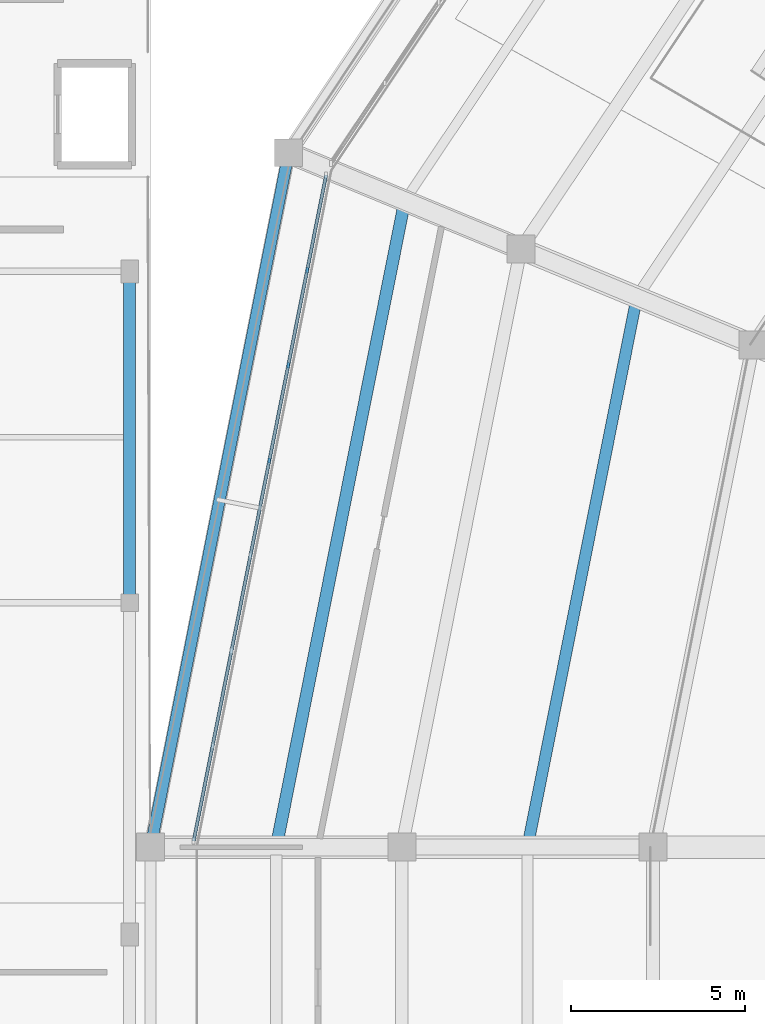
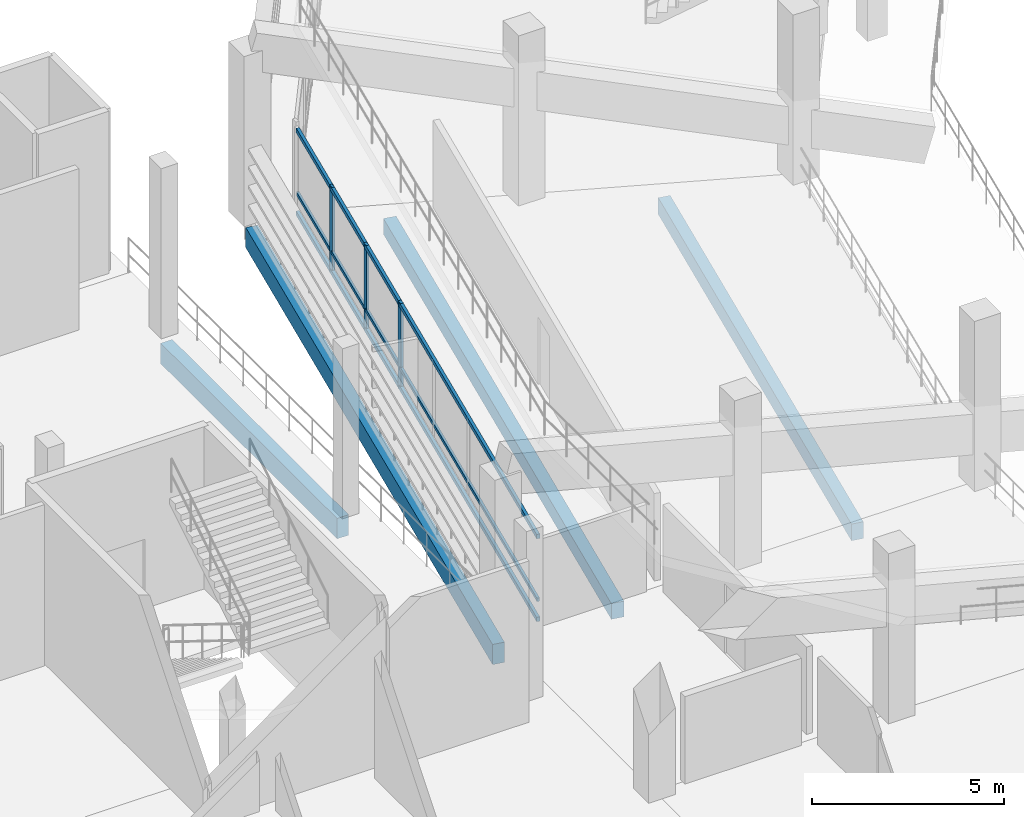
# One storey, part 23 of 96: 6 members, 4 beams, 1 element without a shape of its own.
"""IFC4 building model written with IfcOpenShell, lengths in metres."""

from ifc_helpers import new_model, si_unit, direction, frame, origin, origin_2d, place, context, subcontext, project, spatial, rectangle, extrude, material, material_profile, profile_set, type_object, element, aggregate, save


model = new_model("IFC4")

# Units and contexts
model_context = context("Model", 3, precision=1e-05, world=origin(), true_north=direction((0.0, 1.0)))
body_context = subcontext(model_context, "Body", "Model", "MODEL_VIEW")
ifc_project = project(units=[si_unit("LENGTHUNIT", "METRE"), si_unit("AREAUNIT", "SQUARE_METRE"), si_unit("VOLUMEUNIT", "CUBIC_METRE"), si_unit("PLANEANGLEUNIT", "RADIAN"), si_unit("MASSUNIT", "GRAM", prefix="KILO")], contexts=[model_context])

# Site, building, storey
site_placement = place(None, origin())
site = spatial("IfcSite", under=ifc_project, at=site_placement, CompositionType="ELEMENT")
building_placement = place(site_placement, origin())
building = spatial("IfcBuilding", under=site, at=building_placement, Name="Candeia Ridge Stadium", CompositionType="ELEMENT")
storey_placement = place(building_placement, frame((0.0, 0.0, 21.60009765625)))
storey = spatial("IfcBuildingStorey", under=building, at=storey_placement, Name="L04", CompositionType="ELEMENT", Elevation=21.60009765625)

# Curtain wall, members
ifc_material_1 = material(Name="Aluminium Anodized Warm Bronze", Category="aluminium")
curtain_wall_type = type_object("IfcCurtainWallType", Name="Concourse Recessed Unitised Curtain Wall", PredefinedType="NOTDEFINED", material=ifc_material_1)
curtain_wall_placement = place(storey_placement, origin())
curtain_wall = element("IfcCurtainWall", 1, at=curtain_wall_placement, inside=storey, type_object=curtain_wall_type, Name="Unitised curtain wall CW-BWL-L04-10", PredefinedType="NOTDEFINED")
ifc_material_profile_1 = material_profile(ifc_material_1, rectangle(XDim=0.074951171875, YDim=0.14990234375, at=origin_2d()), Name="CWM-75x150", Category="aluminium")
ifc_profile_set_1 = profile_set([ifc_material_profile_1], Name="Aluminium Anodized Warm Bronze")
member_type_1 = type_object("IfcMemberType", Name="Curtain Wall Secondary Mullion 75x150", PredefinedType="MULLION", material=ifc_profile_set_1)
member_1_placement = place(storey_placement, frame((23.489501953125, 111.537109375, 0.0), z_axis=(0.0, 0.0, 1.0), x_axis=(1.0, 0.0, 0.0)))
member_1 = element("IfcMember", 2, at=member_1_placement, type_object=member_type_1, Name="Curtain wall mullion CW-BWL-L04-10-M1", PredefinedType="MULLION", context=body_context, shape_type="SweptSolid", body=[
    extrude(rectangle(XDim=0.074951171875, YDim=0.14990234375, at=origin_2d()), origin(), (0.0, 0.0, 1.0), 2.772216796875),
])
member_2_placement = place(storey_placement, frame((22.947021484375, 108.810302734375, 0.0), z_axis=(0.0, 0.0, 1.0), x_axis=(1.0, 0.0, 0.0)))
member_2 = element("IfcMember", 3, at=member_2_placement, type_object=member_type_1, Name="Curtain wall mullion CW-BWL-L04-10-M2", PredefinedType="MULLION", context=body_context, shape_type="SweptSolid", body=[
    extrude(rectangle(XDim=0.074951171875, YDim=0.14990234375, at=origin_2d()), origin(), (0.0, 0.0, 1.0), 2.772216796875),
])
member_3_placement = place(storey_placement, frame((22.404541015625, 106.08349609375, 0.0), z_axis=(0.0, 0.0, 1.0), x_axis=(1.0, 0.0, 0.0)))
member_3 = element("IfcMember", 4, at=member_3_placement, type_object=member_type_1, Name="Curtain wall mullion CW-BWL-L04-10-M3", PredefinedType="MULLION", context=body_context, shape_type="SweptSolid", body=[
    extrude(rectangle(XDim=0.074951171875, YDim=0.14990234375, at=origin_2d()), origin(), (0.0, 0.0, 1.0), 2.772216796875),
])
ifc_material_profile_2 = material_profile(ifc_material_1, rectangle(XDim=0.074951171875, YDim=0.110107421875, at=origin_2d()), Name="CWT-75x110", Category="aluminium")
ifc_profile_set_2 = profile_set([ifc_material_profile_2], Name="Aluminium Anodized Warm Bronze")
member_type_2 = type_object("IfcMemberType", Name="Curtain Wall Secondary Transom 75x110", PredefinedType="USERDEFINED", material=ifc_profile_set_2)
member_4_placement = place(storey_placement, frame((24.03173828125, 114.263916015625, 0.693115234375), z_axis=(-0.195085896803, -0.980786160623, 0.0), x_axis=(0.980786160623, -0.195085896803, 0.0)))
member_4 = element("IfcMember", 5, at=member_4_placement, type_object=member_type_2, Name="Curtain wall transom CW-BWL-L04-10-T1", ObjectType="TRANSOM", PredefinedType="USERDEFINED", context=body_context, shape_type="SweptSolid", body=[
    extrude(rectangle(XDim=0.074951171875, YDim=0.110107421875, at=origin_2d()), origin(), (0.0, 0.0, 1.0), 19.46142578125),
])
ifc_material_profile_3 = material_profile(ifc_material_1, rectangle(XDim=0.090087890625, YDim=0.139892578125, at=origin_2d()), Name="CWT-90x140", Category="aluminium")
ifc_profile_set_3 = profile_set([ifc_material_profile_3], Name="Aluminium Anodized Warm Bronze")
member_type_3 = type_object("IfcMemberType", Name="Curtain Wall Transom 90x140", PredefinedType="USERDEFINED", material=ifc_profile_set_3)
member_5_placement = place(storey_placement, frame((24.03173828125, 114.263916015625, 0.06982421875), z_axis=(-0.195085896803, -0.980786160623, 0.0), x_axis=(0.980786160623, -0.195085896803, 0.0)))
member_5 = element("IfcMember", 6, at=member_5_placement, type_object=member_type_3, Name="Curtain wall transom CW-BWL-L04-10-T0", ObjectType="TRANSOM", PredefinedType="USERDEFINED", context=body_context, shape_type="SweptSolid", body=[
    extrude(rectangle(XDim=0.090087890625, YDim=0.139892578125, at=origin_2d()), origin(), (0.0, 0.0, 1.0), 19.46142578125),
])
member_6_placement = place(storey_placement, frame((24.03173828125, 114.263916015625, 2.7021484375), z_axis=(-0.195085896803, -0.980786160623, 0.0), x_axis=(0.980786160623, -0.195085896803, 0.0)))
member_6 = element("IfcMember", 7, at=member_6_placement, type_object=member_type_3, Name="Curtain wall transom CW-BWL-L04-10-T2", ObjectType="TRANSOM", PredefinedType="USERDEFINED", context=body_context, shape_type="SweptSolid", body=[
    extrude(rectangle(XDim=0.090087890625, YDim=0.139892578125, at=origin_2d()), origin(), (0.0, 0.0, 1.0), 19.46142578125),
])
aggregate(curtain_wall, [member_1, member_2, member_3, member_5, member_4, member_6])

# Beams
ifc_material_2 = material(Name="Concrete C40/50", Category="concrete")
ifc_material_profile_4 = material_profile(ifc_material_2, rectangle(XDim=0.330078125, YDim=0.530029296875, at=origin_2d()), Name="RC330x530", Category="concrete")
ifc_profile_set_4 = profile_set([ifc_material_profile_4], Name="Concrete C40/50")
beam_type_1 = type_object("IfcBeamType", Name="Floor Joist RC330x530", PredefinedType="JOIST", material=ifc_profile_set_4)
beam_1_placement = place(storey_placement, frame((32.892822265625, 110.548828125, -0.525146484375), z_axis=(-0.195091809076, -0.980784984607, 0.0), x_axis=(0.980784984607, -0.195091809076, 0.0)))
element("IfcBeam", 8, at=beam_1_placement, inside=storey, type_object=beam_type_1, Name="Concourse secondary joist BM-L04-0841", PredefinedType="JOIST", context=body_context, shape_type="SweptSolid", body=[
    extrude(rectangle(XDim=0.330078125, YDim=0.530029296875, at=origin_2d()), origin(), (0.0, 0.0, 1.0), 15.63134765625),
])
ifc_material_profile_5 = material_profile(ifc_material_2, rectangle(XDim=0.35009765625, YDim=0.5, at=origin_2d()), Name="RC350x500", Category="concrete")
ifc_profile_set_5 = profile_set([ifc_material_profile_5], Name="Concrete C40/50")
beam_type_2 = type_object("IfcBeamType", Name="Floor Joist RC350x500", PredefinedType="JOIST", material=ifc_profile_set_5)
beam_2_placement = place(storey_placement, frame((26.240966796875, 113.30419921875, -0.510009765625), z_axis=(-0.195092537954, -0.980784839623, 0.0), x_axis=(0.980784839623, -0.195092537954, 0.0)))
element("IfcBeam", 9, at=beam_2_placement, inside=storey, type_object=beam_type_2, Name="Concourse secondary joist BM-L04-0842", PredefinedType="JOIST", context=body_context, shape_type="SweptSolid", body=[
    extrude(rectangle(XDim=0.35009765625, YDim=0.5, at=origin_2d()), origin(), (0.0, 0.0, 1.0), 18.440673828125),
])
ifc_material_profile_6 = material_profile(ifc_material_2, rectangle(XDim=0.330078125, YDim=0.639892578125, at=origin_2d()), Name="RC330x640", Category="concrete")
ifc_profile_set_6 = profile_set([ifc_material_profile_6], Name="Concrete C40/50")
beam_type_3 = type_object("IfcBeamType", Name="Spandrel Beam RC330x640", PredefinedType="SPANDREL", material=ifc_profile_set_6)
beam_3_placement = place(storey_placement, frame((22.927001953125, 114.74267578125, -0.580078125), z_axis=(-0.195086242929, -0.980786091775, 0.0), x_axis=(0.980786091775, -0.195086242929, 0.0)))
element("IfcBeam", 10, at=beam_3_placement, inside=storey, type_object=beam_type_3, Name="Bowl perimeter spandrel BM-L04-0840", PredefinedType="SPANDREL", context=body_context, shape_type="SweptSolid", body=[
    extrude(rectangle(XDim=0.330078125, YDim=0.639892578125, at=origin_2d()), origin(), (0.0, 0.0, 1.0), 19.969482421875),
])
ifc_material_profile_7 = material_profile(ifc_material_2, rectangle(XDim=0.35009765625, YDim=0.64990234375, at=origin_2d()), Name="RC350x650", Category="concrete")
ifc_profile_set_7 = profile_set([ifc_material_profile_7], Name="Concrete C40/50")
beam_type_4 = type_object("IfcBeamType", Name="Spandrel Beam RC350x650", PredefinedType="SPANDREL", material=ifc_profile_set_7)
beam_4_placement = place(storey_placement, frame((18.39990234375, 102.159912109375, -0.585205078125), z_axis=(0.0, 1.0, 0.0), x_axis=(-1.0, 0.0, 0.0)))
element("IfcBeam", 11, at=beam_4_placement, inside=storey, type_object=beam_type_4, Name="Structural girder BM-L04-1307", PredefinedType="SPANDREL", context=body_context, shape_type="SweptSolid", body=[
    extrude(rectangle(XDim=0.35009765625, YDim=0.64990234375, at=origin_2d()), origin(), (0.0, 0.0, 1.0), 9.18017578125),
])

save(model, "model.ifc")
